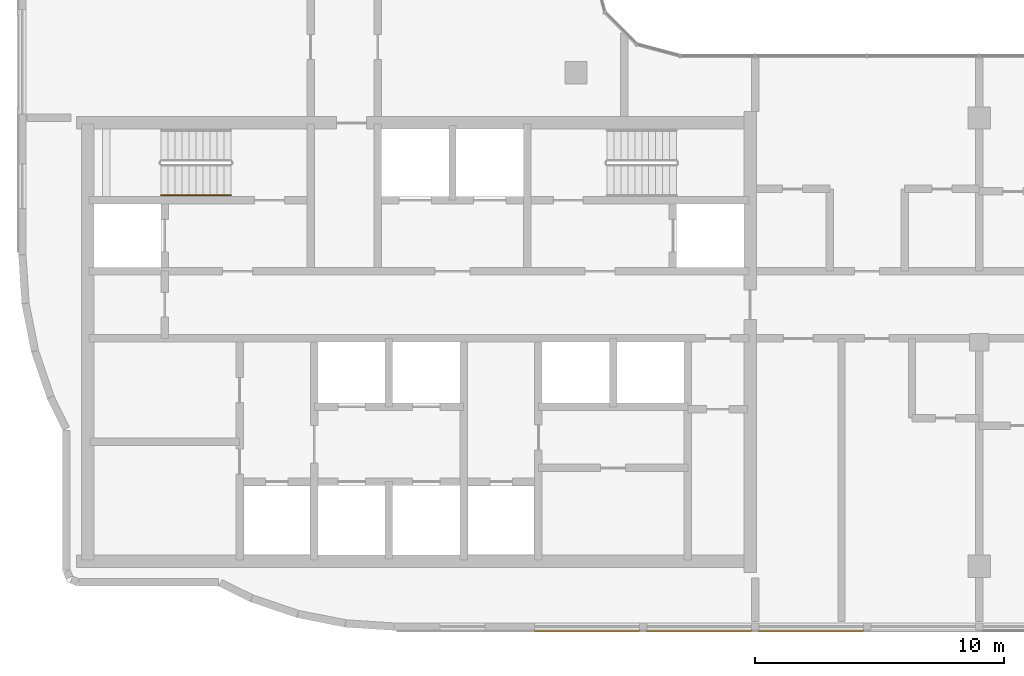
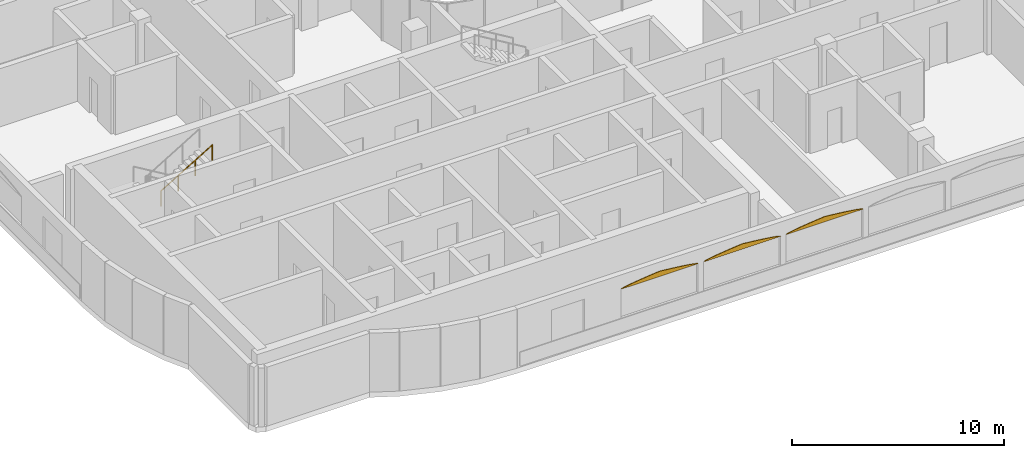
# One storey, part 15 of 18: 3 coverings, 1 railing.
"""IFC4 building model written with IfcOpenShell, lengths in metres."""

from ifc_helpers import new_model, si_unit, direction, frame, origin, origin_2d, place, context, subcontext, project, spatial, polyline, circle, outline, extrude, material, layer, layer_set, type_object, element, save


model = new_model("IFC4")

# Units and contexts
model_context = context("Model", 3, precision=1e-05, world=origin(), true_north=direction((0.0, 1.0)))
body_context = subcontext(model_context, "Body", "Model", "MODEL_VIEW")
ifc_project = project(units=[si_unit("LENGTHUNIT", "METRE"), si_unit("AREAUNIT", "SQUARE_METRE"), si_unit("VOLUMEUNIT", "CUBIC_METRE"), si_unit("PLANEANGLEUNIT", "RADIAN"), si_unit("MASSUNIT", "GRAM", prefix="KILO")], contexts=[model_context])

# Site, building, storey
site_placement = place(None, origin())
site = spatial("IfcSite", under=ifc_project, at=site_placement, CompositionType="ELEMENT")
building_placement = place(site_placement, origin())
building = spatial("IfcBuilding", under=site, at=building_placement, Name="Ogive Portal Towers", CompositionType="ELEMENT")
storey_placement = place(building_placement, frame((0.0, 0.0, 240.199951171875)))
storey = spatial("IfcBuildingStorey", under=building, at=storey_placement, Name="L60", CompositionType="ELEMENT", Elevation=240.199951171875)

# Railing
ifc_material_1 = material(Name="Stainless steel handrail", Category="steel")
railing_type = type_object("IfcRailingType", Name="INT-HANDRAIL", PredefinedType="HANDRAIL", material=ifc_material_1)
railing_placement = place(storey_placement, frame((34.64990234375, 36.39990234375, 2.018310546875)))
element("IfcRailing", 1, at=railing_placement, inside=storey, type_object=railing_type, Name="L60 ST-A1 stair handrail 2", PredefinedType="HANDRAIL", context=body_context, shape_type="SweptSolid", body=[
    extrude(circle(Radius=0.02392578125, at=origin_2d()), frame((0.0, 0.0, 0.8759765625), z_axis=(0.857275202839, 0.0, 0.514858452973), x_axis=(0.0, 1.0, 0.0)), (0.0, 0.0, 1.0), 3.26611328125),
    extrude(circle(Radius=0.02099609375, at=origin_2d()), origin(), (0.0, 0.0, 1.0), 0.851806640625),
    extrude(circle(Radius=0.02099609375, at=origin_2d()), frame((0.933349609375, 0.0, 0.560546875)), (0.0, 0.0, 1.0), 0.851806640625),
    extrude(circle(Radius=0.02099609375, at=origin_2d()), frame((1.86669921875, 0.0, 1.12109375)), (0.0, 0.0, 1.0), 0.851806640625),
    extrude(circle(Radius=0.02099609375, at=origin_2d()), frame((2.800048828125, 0.0, 1.681640625)), (0.0, 0.0, 1.0), 0.851806640625),
])

# Coverings
ifc_material_2 = material(Name="Limestone cladding on lightweight block wall", Category="masonry")
ifc_layer = layer(ifc_material_2, 0.0400390625)
ifc_layer_set = layer_set([ifc_layer], Name="LANCET HEAD STONE")
covering_type = type_object("IfcCoveringType", Name="LANCET HEAD STONE", PredefinedType="CLADDING", material=ifc_layer_set)
for number, where, z_axis, x_axis, name in (
    (2, (49.64990234375, 18.925048828125, 2.60009765625), (0.0, 0.99994891279, 0.010108007188), (1.0, 0.0, 0.0), "Lancet head"),
    (3, (54.14990234375, 18.925048828125, 2.60009765625), (0.0, 0.99994891279, 0.010108007188), (1.0, 0.0, 0.0), "Lancet head"),
    (4, (58.64990234375, 18.925048828125, 2.60009765625), (0.0, 0.99994891279, 0.010108007188), (1.0, 0.0, 0.0), "Lancet head"),
):
    element("IfcCovering", number, at=place(storey_placement, frame(where, z_axis=z_axis, x_axis=x_axis)), inside=storey, type_object=covering_type, Name=name, PredefinedType="CLADDING", context=body_context, shape_type="SweptSolid", body=[
        extrude(outline(polyline([(0.0, 0.0), (4.2001953125, 0.0), (4.107177734375, -0.037356542888502466), (3.9375, -0.0749547461543492), (3.7177734375, -0.1125554171953884), (3.45751953125, -0.1499094923086984), (3.162353515625, -0.1875101633497376), (2.836181640625, -0.22486423846304765), (2.481201171875, -0.26246490950408685), (2.10009765625, -0.3000631127699335), (1.718994140625, -0.26246490950408685), (1.364013671875, -0.22486423846304765), (1.037841796875, -0.1875101633497376), (0.74267578125, -0.1499094923086984), (0.482421875, -0.1125554171953884), (0.2626953125, -0.0749547461543492), (0.093017578125, -0.037356542888502466), (0.0, 0.0)])), origin(), (0.0, 0.0, -1.0), 0.0400390625),
    ])

save(model, "model.ifc")
